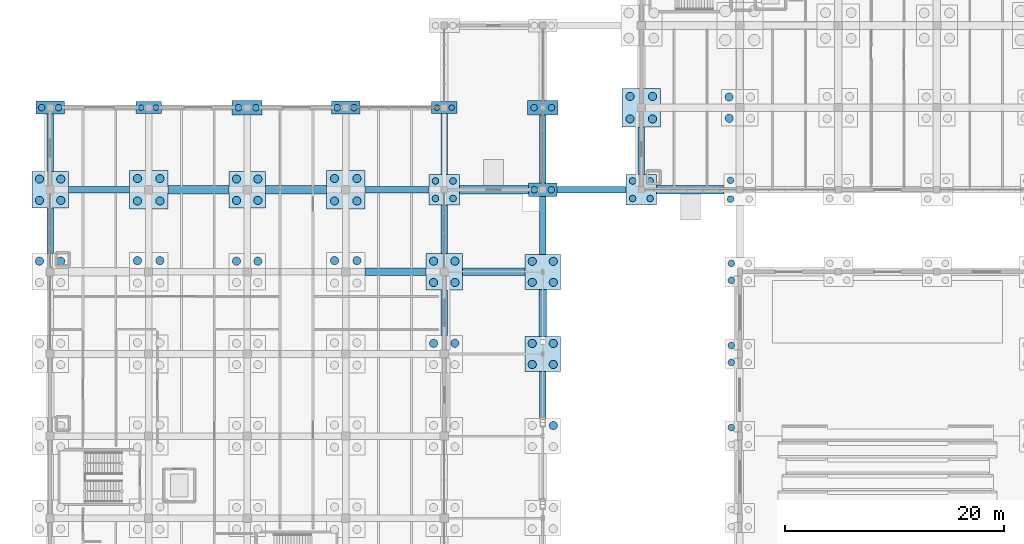
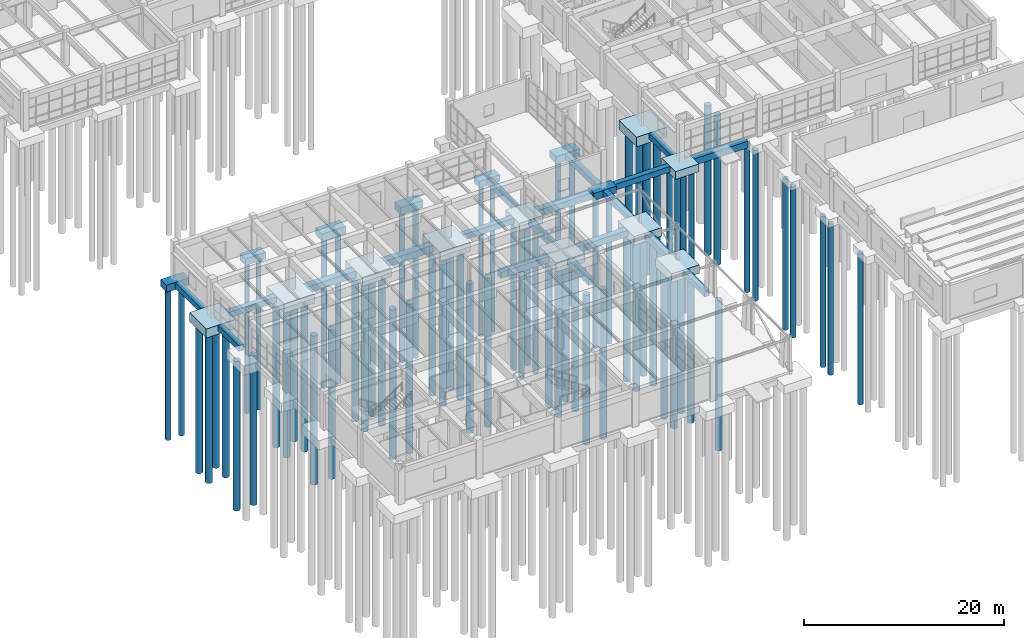
# One storey, part 2 of 93: 74 piles, 36 footings.
"""IFC4 building model written with IfcOpenShell, lengths in metres."""

from ifc_helpers import new_model, si_unit, direction, frame, origin, origin_2d, place, context, subcontext, project, spatial, rectangle, circle, extrude, material, material_profile, profile_set, type_object, element, save


model = new_model("IFC4")

# Units and contexts
model_context = context("Model", 3, precision=1e-05, world=origin(), true_north=direction((0.0, 1.0)))
body_context = subcontext(model_context, "Body", "Model", "MODEL_VIEW")
ifc_project = project(units=[si_unit("LENGTHUNIT", "METRE"), si_unit("AREAUNIT", "SQUARE_METRE"), si_unit("VOLUMEUNIT", "CUBIC_METRE"), si_unit("PLANEANGLEUNIT", "RADIAN"), si_unit("MASSUNIT", "GRAM", prefix="KILO")], contexts=[model_context])

# Site, building, storey
site_placement = place(None, origin())
site = spatial("IfcSite", under=ifc_project, at=site_placement, CompositionType="ELEMENT")
building_placement = place(site_placement, origin())
building = spatial("IfcBuilding", under=site, at=building_placement, Name="Marnridge Secondary College", CompositionType="ELEMENT")
storey_placement = place(building_placement, origin())
storey = spatial("IfcBuildingStorey", under=building, at=storey_placement, Name="L00", CompositionType="ELEMENT", Elevation=0.0)

# Footings
ifc_material_1 = material(Name="Concrete C40/50 (AS 3600 N40, 40 MPa)", Category="concrete")
footing_type_1 = type_object("IfcFootingType", Name="FT-PC-2311", PredefinedType="PILE_CAP", material=ifc_material_1)
for number, where, z_axis, x_axis, name in (
    (1, (9.0, 45.0, -1.06982421875), (0.0, 0.0, 1.0), (1.0, 0.0, 0.0), "Pile cap PC-077"),
    (2, (36.0, 45.0, -1.06982421875), (0.0, 0.0, 1.0), (1.0, 0.0, 0.0), "Pile cap PC-080"),
):
    element("IfcFooting", number, at=place(storey_placement, frame(where, z_axis=z_axis, x_axis=x_axis)), inside=storey, type_object=footing_type_1, Name=name, PredefinedType="PILE_CAP", context=body_context, shape_type="SweptSolid", body=[
        extrude(rectangle(XDim=2.35009765625, YDim=1.10009765625, at=origin_2d()), origin(), (0.0, 0.0, 1.0), 0.820068359375),
    ])
ifc_material_2 = material(Name="Concrete C40/50 (AS 3600 N40, 40 MPa)", Category="concrete")
footing_type_2 = type_object("IfcFootingType", Name="FT-PC-2612", PredefinedType="PILE_CAP", material=ifc_material_2)
for number, where, z_axis, x_axis, name in (
    (3, (45.0, 37.5, -1.10986328125), (0.0, 0.0, 1.0), (1.0, 0.0, 0.0), "Pile cap PC-070"),
    (4, (0.0, 45.0, -1.10986328125), (0.0, 0.0, 1.0), (1.0, 0.0, 0.0), "Pile cap PC-076"),
    (5, (27.0, 45.0, -1.10986328125), (0.0, 0.0, 1.0), (1.0, 0.0, 0.0), "Pile cap PC-079"),
):
    element("IfcFooting", number, at=place(storey_placement, frame(where, z_axis=z_axis, x_axis=x_axis)), inside=storey, type_object=footing_type_2, Name=name, PredefinedType="PILE_CAP", context=body_context, shape_type="SweptSolid", body=[
        extrude(rectangle(XDim=2.60009765625, YDim=1.199951171875, at=origin_2d()), origin(), (0.0, 0.0, 1.0), 0.860107421875),
    ])
ifc_material_3 = material(Name="Concrete C40/50 (AS 3600 N40, 40 MPa)", Category="concrete")
footing_type_3 = type_object("IfcFootingType", Name="FT-PC-2713", PredefinedType="PILE_CAP", material=ifc_material_3)
for number, where, z_axis, x_axis, name in (
    (6, (18.0, 45.0, -1.14990234375), (0.0, 0.0, 1.0), (1.0, 0.0, 0.0), "Pile cap PC-078"),
    (7, (45.0, 45.0, -1.14990234375), (0.0, 0.0, 1.0), (1.0, 0.0, 0.0), "Pile cap PC-081"),
):
    element("IfcFooting", number, at=place(storey_placement, frame(where, z_axis=z_axis, x_axis=x_axis)), inside=storey, type_object=footing_type_3, Name=name, PredefinedType="PILE_CAP", context=body_context, shape_type="SweptSolid", body=[
        extrude(rectangle(XDim=2.75, YDim=1.300048828125, at=origin_2d()), origin(), (0.0, 0.0, 1.0), 0.89990234375),
    ])
ifc_material_4 = material(Name="Concrete C40/50 (AS 3600 N40, 40 MPa)", Category="concrete")
footing_type_4 = type_object("IfcFootingType", Name="FT-PC-2750", PredefinedType="PILE_CAP", material=ifc_material_4)
for number, where, z_axis, x_axis, name in (
    (8, (36.0, 37.5, -1.2001953125), (0.0, 0.0, 1.0), (1.0, 0.0, 0.0), "Pile cap PC-069"),
    (9, (54.0, 37.5, -1.2001953125), (0.0, 0.0, 1.0), (1.0, 0.0, 0.0), "Pile cap PC-071"),
):
    element("IfcFooting", number, at=place(storey_placement, frame(where, z_axis=z_axis, x_axis=x_axis)), inside=storey, type_object=footing_type_4, Name=name, PredefinedType="PILE_CAP", context=body_context, shape_type="SweptSolid", body=[
        extrude(rectangle(XDim=2.75, YDim=2.75, at=origin_2d()), origin(), (0.0, 0.0, 1.0), 0.949951171875),
    ])
ifc_material_5 = material(Name="Concrete C40/50 (AS 3600 N40, 40 MPa)", Category="concrete")
footing_type_5 = type_object("IfcFootingType", Name="FT-PC-3200", PredefinedType="PILE_CAP", material=ifc_material_5)
for number, where, z_axis, x_axis, name in (
    (10, (45.0, 22.5, -1.2998046875), (0.0, 0.0, 1.0), (1.0, 0.0, 0.0), "Pile cap PC-044"),
    (11, (45.0, 30.0, -1.2998046875), (0.0, 0.0, 1.0), (1.0, 0.0, 0.0), "Pile cap PC-056"),
):
    element("IfcFooting", number, at=place(storey_placement, frame(where, z_axis=z_axis, x_axis=x_axis)), inside=storey, type_object=footing_type_5, Name=name, PredefinedType="PILE_CAP", context=body_context, shape_type="SweptSolid", body=[
        extrude(rectangle(XDim=3.199951171875, YDim=3.199951171875, at=origin_2d()), origin(), (0.0, 0.0, 1.0), 1.050048828125),
    ])
ifc_material_6 = material(Name="Concrete C40/50 (AS 3600 N40, 40 MPa)", Category="concrete")
footing_type_6 = type_object("IfcFootingType", Name="FT-PC-3350", PredefinedType="PILE_CAP", material=ifc_material_6)
for number, where, z_axis, x_axis, name in (
    (12, (36.0, 30.0, -1.35009765625), (0.0, 0.0, 1.0), (1.0, 0.0, 0.0), "Pile cap PC-055"),
    (13, (0.0, 37.5, -1.35009765625), (0.0, 0.0, 1.0), (1.0, 0.0, 0.0), "Pile cap PC-065"),
    (14, (18.0, 37.5, -1.35009765625), (0.0, 0.0, 1.0), (1.0, 0.0, 0.0), "Pile cap PC-067"),
):
    element("IfcFooting", number, at=place(storey_placement, frame(where, z_axis=z_axis, x_axis=x_axis)), inside=storey, type_object=footing_type_6, Name=name, PredefinedType="PILE_CAP", context=body_context, shape_type="SweptSolid", body=[
        extrude(rectangle(XDim=3.35009765625, YDim=3.35009765625, at=origin_2d()), origin(), (0.0, 0.0, 1.0), 1.10009765625),
    ])
ifc_material_7 = material(Name="Concrete C40/50 (AS 3600 N40, 40 MPa)", Category="concrete")
footing_type_7 = type_object("IfcFootingType", Name="FT-PC-3500", PredefinedType="PILE_CAP", material=ifc_material_7)
for number, where, z_axis, x_axis, name in (
    (15, (9.0, 37.5, -1.39990234375), (0.0, 0.0, 1.0), (1.0, 0.0, 0.0), "Pile cap PC-066"),
    (16, (27.0, 37.5, -1.39990234375), (0.0, 0.0, 1.0), (1.0, 0.0, 0.0), "Pile cap PC-068"),
    (17, (54.0, 45.0, -1.39990234375), (0.0, 0.0, 1.0), (1.0, 0.0, 0.0), "Pile cap PC-082"),
):
    element("IfcFooting", number, at=place(storey_placement, frame(where, z_axis=z_axis, x_axis=x_axis)), inside=storey, type_object=footing_type_7, Name=name, PredefinedType="PILE_CAP", context=body_context, shape_type="SweptSolid", body=[
        extrude(rectangle(XDim=3.5, YDim=3.5, at=origin_2d()), origin(), (0.0, 0.0, 1.0), 1.14990234375),
    ])
ifc_material_8 = material(Name="Concrete C40/50 (AS 3600 N40, 40 MPa)", Category="concrete")
footing_type_8 = type_object("IfcFootingType", Name="FT-SF-600", PredefinedType="STRIP_FOOTING", material=ifc_material_8)
footing_1_placement = place(storey_placement, frame((0.0, 33.75, -0.9501953125), z_axis=(0.0, 0.0, 1.0), x_axis=(1.0, 0.0, 0.0)))
element("IfcFooting", 18, at=footing_1_placement, inside=storey, type_object=footing_type_8, Name="Ground strip footing SF-007", PredefinedType="STRIP_FOOTING", context=body_context, shape_type="SweptSolid", body=[
    extrude(rectangle(XDim=0.60009765625, YDim=4.14990234375, at=origin_2d()), origin(), (0.0, 0.0, 1.0), 0.699951171875),
])
footing_2_placement = place(storey_placement, frame((4.46240234375, 37.5, -0.9501953125), z_axis=(0.0, 0.0, 1.0), x_axis=(1.0, 0.0, 0.0)))
element("IfcFooting", 19, at=footing_2_placement, inside=storey, type_object=footing_type_8, Name="Ground strip footing SF-008", PredefinedType="STRIP_FOOTING", context=body_context, shape_type="SweptSolid", body=[
    extrude(rectangle(XDim=5.574951171875, YDim=0.60009765625, at=origin_2d()), origin(), (0.0, 0.0, 1.0), 0.699951171875),
])
footing_3_placement = place(storey_placement, frame((0.0, 41.78759765625, -0.9501953125), z_axis=(0.0, 0.0, 1.0), x_axis=(1.0, 0.0, 0.0)))
element("IfcFooting", 20, at=footing_3_placement, inside=storey, type_object=footing_type_8, Name="Ground strip footing SF-009", PredefinedType="STRIP_FOOTING", context=body_context, shape_type="SweptSolid", body=[
    extrude(rectangle(XDim=0.60009765625, YDim=5.22509765625, at=origin_2d()), origin(), (0.0, 0.0, 1.0), 0.699951171875),
])
footing_4_placement = place(storey_placement, frame((31.6875, 37.5, -0.9501953125), z_axis=(0.0, 0.0, 1.0), x_axis=(1.0, 0.0, 0.0)))
element("IfcFooting", 21, at=footing_4_placement, inside=storey, type_object=footing_type_8, Name="Ground strip footing SF-032", PredefinedType="STRIP_FOOTING", context=body_context, shape_type="SweptSolid", body=[
    extrude(rectangle(XDim=5.875, YDim=0.60009765625, at=origin_2d()), origin(), (0.0, 0.0, 1.0), 0.699951171875),
])
footing_5_placement = place(storey_placement, frame((36.0, 26.25, -0.9501953125), z_axis=(0.0, 0.0, 1.0), x_axis=(1.0, 0.0, 0.0)))
element("IfcFooting", 22, at=footing_5_placement, inside=storey, type_object=footing_type_8, Name="Ground strip footing SF-039", PredefinedType="STRIP_FOOTING", context=body_context, shape_type="SweptSolid", body=[
    extrude(rectangle(XDim=0.60009765625, YDim=4.14990234375, at=origin_2d()), origin(), (0.0, 0.0, 1.0), 0.699951171875),
])
footing_6_placement = place(storey_placement, frame((36.0, 33.89990234375, -0.9501953125), z_axis=(0.0, 0.0, 1.0), x_axis=(1.0, 0.0, 0.0)))
element("IfcFooting", 23, at=footing_6_placement, inside=storey, type_object=footing_type_8, Name="Ground strip footing SF-041", PredefinedType="STRIP_FOOTING", context=body_context, shape_type="SweptSolid", body=[
    extrude(rectangle(XDim=0.60009765625, YDim=4.449951171875, at=origin_2d()), origin(), (0.0, 0.0, 1.0), 0.699951171875),
])
footing_7_placement = place(storey_placement, frame((36.0, 41.66259765625, -0.9501953125), z_axis=(0.0, 0.0, 1.0), x_axis=(1.0, 0.0, 0.0)))
element("IfcFooting", 24, at=footing_7_placement, inside=storey, type_object=footing_type_8, Name="Ground strip footing SF-043", PredefinedType="STRIP_FOOTING", context=body_context, shape_type="SweptSolid", body=[
    extrude(rectangle(XDim=0.60009765625, YDim=5.574951171875, at=origin_2d()), origin(), (0.0, 0.0, 1.0), 0.699951171875),
])
footing_8_placement = place(storey_placement, frame((45.0, 18.75, -0.9501953125), z_axis=(0.0, 0.0, 1.0), x_axis=(1.0, 0.0, 0.0)))
element("IfcFooting", 25, at=footing_8_placement, inside=storey, type_object=footing_type_8, Name="Ground strip footing SF-053", PredefinedType="STRIP_FOOTING", context=body_context, shape_type="SweptSolid", body=[
    extrude(rectangle(XDim=0.60009765625, YDim=4.300048828125, at=origin_2d()), origin(), (0.0, 0.0, 1.0), 0.699951171875),
])
footing_9_placement = place(storey_placement, frame((45.0, 34.25, -0.9501953125), z_axis=(0.0, 0.0, 1.0), x_axis=(1.0, 0.0, 0.0)))
element("IfcFooting", 26, at=footing_9_placement, inside=storey, type_object=footing_type_8, Name="Ground strip footing SF-055", PredefinedType="STRIP_FOOTING", context=body_context, shape_type="SweptSolid", body=[
    extrude(rectangle(XDim=0.60009765625, YDim=5.300048828125, at=origin_2d()), origin(), (0.0, 0.0, 1.0), 0.699951171875),
])
footing_10_placement = place(storey_placement, frame((49.46240234375, 37.5, -0.9501953125), z_axis=(0.0, 0.0, 1.0), x_axis=(1.0, 0.0, 0.0)))
element("IfcFooting", 27, at=footing_10_placement, inside=storey, type_object=footing_type_8, Name="Ground strip footing SF-056", PredefinedType="STRIP_FOOTING", context=body_context, shape_type="SweptSolid", body=[
    extrude(rectangle(XDim=6.324951171875, YDim=0.60009765625, at=origin_2d()), origin(), (0.0, 0.0, 1.0), 0.699951171875),
])
footing_11_placement = place(storey_placement, frame((45.0, 41.22509765625, -0.9501953125), z_axis=(0.0, 0.0, 1.0), x_axis=(1.0, 0.0, 0.0)))
element("IfcFooting", 28, at=footing_11_placement, inside=storey, type_object=footing_type_8, Name="Ground strip footing SF-057", PredefinedType="STRIP_FOOTING", context=body_context, shape_type="SweptSolid", body=[
    extrude(rectangle(XDim=0.60009765625, YDim=6.25, at=origin_2d()), origin(), (0.0, 0.0, 1.0), 0.699951171875),
])
footing_12_placement = place(storey_placement, frame((54.0, 41.0625, -0.9501953125), z_axis=(0.0, 0.0, 1.0), x_axis=(1.0, 0.0, 0.0)))
element("IfcFooting", 29, at=footing_12_placement, inside=storey, type_object=footing_type_8, Name="Ground strip footing SF-061", PredefinedType="STRIP_FOOTING", context=body_context, shape_type="SweptSolid", body=[
    extrude(rectangle(XDim=0.60009765625, YDim=4.375, at=origin_2d()), origin(), (0.0, 0.0, 1.0), 0.699951171875),
])
ifc_material_9 = material(Name="Concrete C40/50 (AS 3600 N40, 40 MPa)", Category="concrete")
footing_type_9 = type_object("IfcFootingType", Name="FT-SF-680", PredefinedType="STRIP_FOOTING", material=ifc_material_9)
footing_13_placement = place(storey_placement, frame((31.53759765625, 30.0, -1.009765625), z_axis=(0.0, 0.0, 1.0), x_axis=(1.0, 0.0, 0.0)))
element("IfcFooting", 30, at=footing_13_placement, inside=storey, type_object=footing_type_9, Name="Ground strip footing SF-031", PredefinedType="STRIP_FOOTING", context=body_context, shape_type="SweptSolid", body=[
    extrude(rectangle(XDim=5.574951171875, YDim=0.679931640625, at=origin_2d()), origin(), (0.0, 0.0, 1.0), 0.760009765625),
])
footing_14_placement = place(storey_placement, frame((40.53759765625, 30.0, -1.009765625), z_axis=(0.0, 0.0, 1.0), x_axis=(1.0, 0.0, 0.0)))
element("IfcFooting", 31, at=footing_14_placement, inside=storey, type_object=footing_type_9, Name="Ground strip footing SF-040", PredefinedType="STRIP_FOOTING", context=body_context, shape_type="SweptSolid", body=[
    extrude(rectangle(XDim=5.72509765625, YDim=0.679931640625, at=origin_2d()), origin(), (0.0, 0.0, 1.0), 0.760009765625),
])
footing_15_placement = place(storey_placement, frame((45.0, 26.25, -1.009765625), z_axis=(0.0, 0.0, 1.0), x_axis=(1.0, 0.0, 0.0)))
element("IfcFooting", 32, at=footing_15_placement, inside=storey, type_object=footing_type_9, Name="Ground strip footing SF-054", PredefinedType="STRIP_FOOTING", context=body_context, shape_type="SweptSolid", body=[
    extrude(rectangle(XDim=0.679931640625, YDim=4.300048828125, at=origin_2d()), origin(), (0.0, 0.0, 1.0), 0.760009765625),
])
ifc_material_10 = material(Name="Concrete C40/50 (AS 3600 N40, 40 MPa)", Category="concrete")
footing_type_10 = type_object("IfcFootingType", Name="FT-SF-760", PredefinedType="STRIP_FOOTING", material=ifc_material_10)
for number, where, z_axis, x_axis, name in (
    (33, (13.53759765625, 37.5, -1.06982421875), (0.0, 0.0, 1.0), (1.0, 0.0, 0.0), "Ground strip footing SF-021"),
    (34, (22.46240234375, 37.5, -1.06982421875), (0.0, 0.0, 1.0), (1.0, 0.0, 0.0), "Ground strip footing SF-027"),
):
    element("IfcFooting", number, at=place(storey_placement, frame(where, z_axis=z_axis, x_axis=x_axis)), inside=storey, type_object=footing_type_10, Name=name, PredefinedType="STRIP_FOOTING", context=body_context, shape_type="SweptSolid", body=[
        extrude(rectangle(XDim=5.574951171875, YDim=0.760009765625, at=origin_2d()), origin(), (0.0, 0.0, 1.0), 0.820068359375),
    ])
footing_16_placement = place(storey_placement, frame((40.53759765625, 37.5, -1.06982421875), z_axis=(0.0, 0.0, 1.0), x_axis=(1.0, 0.0, 0.0)))
element("IfcFooting", 35, at=footing_16_placement, inside=storey, type_object=footing_type_10, Name="Ground strip footing SF-042", PredefinedType="STRIP_FOOTING", context=body_context, shape_type="SweptSolid", body=[
    extrude(rectangle(XDim=6.324951171875, YDim=0.760009765625, at=origin_2d()), origin(), (0.0, 0.0, 1.0), 0.820068359375),
])
footing_17_placement = place(storey_placement, frame((58.46240234375, 37.5, -1.06982421875), z_axis=(0.0, 0.0, 1.0), x_axis=(1.0, 0.0, 0.0)))
element("IfcFooting", 36, at=footing_17_placement, inside=storey, type_object=footing_type_10, Name="Ground strip footing SF-060", PredefinedType="STRIP_FOOTING", context=body_context, shape_type="SweptSolid", body=[
    extrude(rectangle(XDim=6.175048828125, YDim=0.760009765625, at=origin_2d()), origin(), (0.0, 0.0, 1.0), 0.820068359375),
])

# Piles
ifc_material_11 = material(Name="Concrete C40/50 (AS 3600 N40, 40 MPa)", Category="concrete")
ifc_material_profile_1 = material_profile(ifc_material_11, circle(Radius=0.25, at=origin_2d()), Name="PILE D500")
ifc_profile_set_1 = profile_set([ifc_material_profile_1], Name="Concrete C40/50 (AS 3600 N40, 40 MPa)")
pile_type_1 = type_object("IfcPileType", Name="PL-D500-N40", PredefinedType="BORED", material=ifc_profile_set_1)
for number, where, z_axis, x_axis, name in (
    (37, (8.324951171875, 45.0, -0.969970703125), (0.0, 0.0, -1.0), (1.0, 0.0, 0.0), "Bored pile PL-295"),
    (38, (9.675048828125, 45.0, -0.969970703125), (0.0, 0.0, -1.0), (1.0, 0.0, 0.0), "Bored pile PL-296"),
    (39, (35.324951171875, 45.0, -0.969970703125), (0.0, 0.0, -1.0), (1.0, 0.0, 0.0), "Bored pile PL-301"),
    (40, (36.675048828125, 45.0, -0.969970703125), (0.0, 0.0, -1.0), (1.0, 0.0, 0.0), "Bored pile PL-302"),
):
    element("IfcPile", number, at=place(storey_placement, frame(where, z_axis=z_axis, x_axis=x_axis)), inside=storey, type_object=pile_type_1, Name=name, PredefinedType="BORED", context=body_context, shape_type="SweptSolid", body=[
        extrude(circle(Radius=0.25, at=origin_2d()), origin(), (0.0, 0.0, 1.0), 18.530029296875),
    ])
ifc_material_12 = material(Name="Concrete C40/50 (AS 3600 N40, 40 MPa)", Category="concrete")
ifc_material_profile_2 = material_profile(ifc_material_12, circle(Radius=0.300048828125, at=origin_2d()), Name="PILE D600")
ifc_profile_set_2 = profile_set([ifc_material_profile_2], Name="Concrete C40/50 (AS 3600 N40, 40 MPa)")
pile_type_2 = type_object("IfcPileType", Name="PL-D600-N40", PredefinedType="BORED", material=ifc_profile_set_2)
for number, where, z_axis, x_axis, name in (
    (41, (62.22509765625, 15.77490234375, -1.070068359375), (0.0, 0.0, -1.0), (1.0, 0.0, 0.0), "Bored pile PL-129"),
    (42, (62.22509765625, 21.72509765625, -1.070068359375), (0.0, 0.0, -1.0), (1.0, 0.0, 0.0), "Bored pile PL-173"),
    (43, (62.22509765625, 23.27490234375, -1.070068359375), (0.0, 0.0, -1.0), (1.0, 0.0, 0.0), "Bored pile PL-175"),
    (44, (62.22509765625, 29.22509765625, -1.070068359375), (0.0, 0.0, -1.0), (1.0, 0.0, 0.0), "Bored pile PL-219"),
    (45, (62.22509765625, 30.77490234375, -1.070068359375), (0.0, 0.0, -1.0), (1.0, 0.0, 0.0), "Bored pile PL-221"),
):
    element("IfcPile", number, at=place(storey_placement, frame(where, z_axis=z_axis, x_axis=x_axis)), inside=storey, type_object=pile_type_2, Name=name, PredefinedType="BORED", context=body_context, shape_type="SweptSolid", body=[
        extrude(circle(Radius=0.300048828125, at=origin_2d()), origin(), (0.0, 0.0, 1.0), 18.429931640625),
    ])
for number, where, z_axis, x_axis, name in (
    (46, (35.199951171875, 36.699951171875, -1.10009765625), (0.0, 0.0, -1.0), (1.0, 0.0, 0.0), "Bored pile PL-267"),
    (47, (36.800048828125, 36.699951171875, -1.10009765625), (0.0, 0.0, -1.0), (1.0, 0.0, 0.0), "Bored pile PL-268"),
    (48, (35.199951171875, 38.300048828125, -1.10009765625), (0.0, 0.0, -1.0), (1.0, 0.0, 0.0), "Bored pile PL-269"),
    (49, (36.800048828125, 38.300048828125, -1.10009765625), (0.0, 0.0, -1.0), (1.0, 0.0, 0.0), "Bored pile PL-270"),
):
    element("IfcPile", number, at=place(storey_placement, frame(where, z_axis=z_axis, x_axis=x_axis)), inside=storey, type_object=pile_type_2, Name=name, PredefinedType="BORED", context=body_context, shape_type="SweptSolid", body=[
        extrude(circle(Radius=0.300048828125, at=origin_2d()), origin(), (0.0, 0.0, 1.0), 18.39990234375),
    ])
for number, where, z_axis, x_axis, name in (
    (50, (44.22509765625, 37.5, -1.010009765625), (0.0, 0.0, -1.0), (1.0, 0.0, 0.0), "Bored pile PL-271"),
    (51, (45.77490234375, 37.5, -1.010009765625), (0.0, 0.0, -1.0), (1.0, 0.0, 0.0), "Bored pile PL-272"),
):
    element("IfcPile", number, at=place(storey_placement, frame(where, z_axis=z_axis, x_axis=x_axis)), inside=storey, type_object=pile_type_2, Name=name, PredefinedType="BORED", context=body_context, shape_type="SweptSolid", body=[
        extrude(circle(Radius=0.300048828125, at=origin_2d()), origin(), (0.0, 0.0, 1.0), 18.489990234375),
    ])
for number, where, z_axis, x_axis, name in (
    (52, (53.199951171875, 36.699951171875, -1.10009765625), (0.0, 0.0, -1.0), (1.0, 0.0, 0.0), "Bored pile PL-273"),
    (53, (54.800048828125, 36.699951171875, -1.10009765625), (0.0, 0.0, -1.0), (1.0, 0.0, 0.0), "Bored pile PL-274"),
    (54, (53.199951171875, 38.300048828125, -1.10009765625), (0.0, 0.0, -1.0), (1.0, 0.0, 0.0), "Bored pile PL-275"),
    (55, (54.800048828125, 38.300048828125, -1.10009765625), (0.0, 0.0, -1.0), (1.0, 0.0, 0.0), "Bored pile PL-276"),
):
    element("IfcPile", number, at=place(storey_placement, frame(where, z_axis=z_axis, x_axis=x_axis)), inside=storey, type_object=pile_type_2, Name=name, PredefinedType="BORED", context=body_context, shape_type="SweptSolid", body=[
        extrude(circle(Radius=0.300048828125, at=origin_2d()), origin(), (0.0, 0.0, 1.0), 18.39990234375),
    ])
for number, where, z_axis, x_axis, name in (
    (56, (62.14990234375, 36.64990234375, -1.1298828125), (0.0, 0.0, -1.0), (1.0, 0.0, 0.0), "Bored pile PL-277"),
    (57, (62.14990234375, 38.35009765625, -1.1298828125), (0.0, 0.0, -1.0), (1.0, 0.0, 0.0), "Bored pile PL-279"),
):
    element("IfcPile", number, at=place(storey_placement, frame(where, z_axis=z_axis, x_axis=x_axis)), inside=storey, type_object=pile_type_2, Name=name, PredefinedType="BORED", context=body_context, shape_type="SweptSolid", body=[
        extrude(circle(Radius=0.300048828125, at=origin_2d()), origin(), (0.0, 0.0, 1.0), 18.3701171875),
    ])
for number, where, z_axis, x_axis, name in (
    (58, (-0.77490234375, 45.0, -1.010009765625), (0.0, 0.0, -1.0), (1.0, 0.0, 0.0), "Bored pile PL-293"),
    (59, (0.77490234375, 45.0, -1.010009765625), (0.0, 0.0, -1.0), (1.0, 0.0, 0.0), "Bored pile PL-294"),
):
    element("IfcPile", number, at=place(storey_placement, frame(where, z_axis=z_axis, x_axis=x_axis)), inside=storey, type_object=pile_type_2, Name=name, PredefinedType="BORED", context=body_context, shape_type="SweptSolid", body=[
        extrude(circle(Radius=0.300048828125, at=origin_2d()), origin(), (0.0, 0.0, 1.0), 18.489990234375),
    ])
for number, where, z_axis, x_axis, name in (
    (60, (17.199951171875, 45.0, -1.050048828125), (0.0, 0.0, -1.0), (1.0, 0.0, 0.0), "Bored pile PL-297"),
    (61, (18.800048828125, 45.0, -1.050048828125), (0.0, 0.0, -1.0), (1.0, 0.0, 0.0), "Bored pile PL-298"),
):
    element("IfcPile", number, at=place(storey_placement, frame(where, z_axis=z_axis, x_axis=x_axis)), inside=storey, type_object=pile_type_2, Name=name, PredefinedType="BORED", context=body_context, shape_type="SweptSolid", body=[
        extrude(circle(Radius=0.300048828125, at=origin_2d()), origin(), (0.0, 0.0, 1.0), 18.449951171875),
    ])
for number, where, z_axis, x_axis, name in (
    (62, (26.22509765625, 45.0, -1.010009765625), (0.0, 0.0, -1.0), (1.0, 0.0, 0.0), "Bored pile PL-299"),
    (63, (27.77490234375, 45.0, -1.010009765625), (0.0, 0.0, -1.0), (1.0, 0.0, 0.0), "Bored pile PL-300"),
):
    element("IfcPile", number, at=place(storey_placement, frame(where, z_axis=z_axis, x_axis=x_axis)), inside=storey, type_object=pile_type_2, Name=name, PredefinedType="BORED", context=body_context, shape_type="SweptSolid", body=[
        extrude(circle(Radius=0.300048828125, at=origin_2d()), origin(), (0.0, 0.0, 1.0), 18.489990234375),
    ])
for number, where, z_axis, x_axis, name in (
    (64, (44.199951171875, 45.0, -1.050048828125), (0.0, 0.0, -1.0), (1.0, 0.0, 0.0), "Bored pile PL-303"),
    (65, (45.800048828125, 45.0, -1.050048828125), (0.0, 0.0, -1.0), (1.0, 0.0, 0.0), "Bored pile PL-304"),
):
    element("IfcPile", number, at=place(storey_placement, frame(where, z_axis=z_axis, x_axis=x_axis)), inside=storey, type_object=pile_type_2, Name=name, PredefinedType="BORED", context=body_context, shape_type="SweptSolid", body=[
        extrude(circle(Radius=0.300048828125, at=origin_2d()), origin(), (0.0, 0.0, 1.0), 18.449951171875),
    ])
ifc_material_13 = material(Name="Concrete C40/50 (AS 3600 N40, 40 MPa)", Category="concrete")
ifc_material_profile_3 = material_profile(ifc_material_13, circle(Radius=0.375, at=origin_2d()), Name="PILE D750")
ifc_profile_set_3 = profile_set([ifc_material_profile_3], Name="Concrete C40/50 (AS 3600 N40, 40 MPa)")
pile_type_3 = type_object("IfcPileType", Name="PL-D750-N40", PredefinedType="BORED", material=ifc_profile_set_3)
pile_placement = place(storey_placement, frame((45.9599609375, 15.9599609375, -1.199951171875), z_axis=(0.0, 0.0, -1.0), x_axis=(1.0, 0.0, 0.0)))
element("IfcPile", 66, at=pile_placement, inside=storey, type_object=pile_type_3, Name="Bored pile PL-126", PredefinedType="BORED", context=body_context, shape_type="SweptSolid", body=[
    extrude(circle(Radius=0.375, at=origin_2d()), origin(), (0.0, 0.0, 1.0), 18.300048828125),
])
for number, where, z_axis, x_axis, name in (
    (67, (35.02490234375, 23.47509765625, -1.25), (0.0, 0.0, -1.0), (1.0, 0.0, 0.0), "Bored pile PL-167"),
    (68, (36.97509765625, 23.47509765625, -1.25), (0.0, 0.0, -1.0), (1.0, 0.0, 0.0), "Bored pile PL-168"),
):
    element("IfcPile", number, at=place(storey_placement, frame(where, z_axis=z_axis, x_axis=x_axis)), inside=storey, type_object=pile_type_3, Name=name, PredefinedType="BORED", context=body_context, shape_type="SweptSolid", body=[
        extrude(circle(Radius=0.375, at=origin_2d()), origin(), (0.0, 0.0, 1.0), 18.25),
    ])
for number, where, z_axis, x_axis, name in (
    (69, (44.0400390625, 21.5400390625, -1.199951171875), (0.0, 0.0, -1.0), (1.0, 0.0, 0.0), "Bored pile PL-169"),
    (70, (45.9599609375, 21.5400390625, -1.199951171875), (0.0, 0.0, -1.0), (1.0, 0.0, 0.0), "Bored pile PL-170"),
    (71, (44.0400390625, 23.4599609375, -1.199951171875), (0.0, 0.0, -1.0), (1.0, 0.0, 0.0), "Bored pile PL-171"),
    (72, (45.9599609375, 23.4599609375, -1.199951171875), (0.0, 0.0, -1.0), (1.0, 0.0, 0.0), "Bored pile PL-172"),
):
    element("IfcPile", number, at=place(storey_placement, frame(where, z_axis=z_axis, x_axis=x_axis)), inside=storey, type_object=pile_type_3, Name=name, PredefinedType="BORED", context=body_context, shape_type="SweptSolid", body=[
        extrude(circle(Radius=0.375, at=origin_2d()), origin(), (0.0, 0.0, 1.0), 18.300048828125),
    ])
for number, where, z_axis, x_axis, name in (
    (73, (-0.97509765625, 30.97509765625, -1.25), (0.0, 0.0, -1.0), (1.0, 0.0, 0.0), "Bored pile PL-197"),
    (74, (0.97509765625, 30.97509765625, -1.25), (0.0, 0.0, -1.0), (1.0, 0.0, 0.0), "Bored pile PL-198"),
):
    element("IfcPile", number, at=place(storey_placement, frame(where, z_axis=z_axis, x_axis=x_axis)), inside=storey, type_object=pile_type_3, Name=name, PredefinedType="BORED", context=body_context, shape_type="SweptSolid", body=[
        extrude(circle(Radius=0.375, at=origin_2d()), origin(), (0.0, 0.0, 1.0), 18.25),
    ])
for number, where, z_axis, x_axis, name in (
    (75, (7.97509765625, 31.02490234375, -1.300048828125), (0.0, 0.0, -1.0), (1.0, 0.0, 0.0), "Bored pile PL-201"),
    (76, (10.02490234375, 31.02490234375, -1.300048828125), (0.0, 0.0, -1.0), (1.0, 0.0, 0.0), "Bored pile PL-202"),
):
    element("IfcPile", number, at=place(storey_placement, frame(where, z_axis=z_axis, x_axis=x_axis)), inside=storey, type_object=pile_type_3, Name=name, PredefinedType="BORED", context=body_context, shape_type="SweptSolid", body=[
        extrude(circle(Radius=0.375, at=origin_2d()), origin(), (0.0, 0.0, 1.0), 18.199951171875),
    ])
for number, where, z_axis, x_axis, name in (
    (77, (17.02490234375, 30.97509765625, -1.25), (0.0, 0.0, -1.0), (1.0, 0.0, 0.0), "Bored pile PL-205"),
    (78, (18.97509765625, 30.97509765625, -1.25), (0.0, 0.0, -1.0), (1.0, 0.0, 0.0), "Bored pile PL-206"),
):
    element("IfcPile", number, at=place(storey_placement, frame(where, z_axis=z_axis, x_axis=x_axis)), inside=storey, type_object=pile_type_3, Name=name, PredefinedType="BORED", context=body_context, shape_type="SweptSolid", body=[
        extrude(circle(Radius=0.375, at=origin_2d()), origin(), (0.0, 0.0, 1.0), 18.25),
    ])
for number, where, z_axis, x_axis, name in (
    (79, (25.97509765625, 31.02490234375, -1.300048828125), (0.0, 0.0, -1.0), (1.0, 0.0, 0.0), "Bored pile PL-209"),
    (80, (28.02490234375, 31.02490234375, -1.300048828125), (0.0, 0.0, -1.0), (1.0, 0.0, 0.0), "Bored pile PL-210"),
):
    element("IfcPile", number, at=place(storey_placement, frame(where, z_axis=z_axis, x_axis=x_axis)), inside=storey, type_object=pile_type_3, Name=name, PredefinedType="BORED", context=body_context, shape_type="SweptSolid", body=[
        extrude(circle(Radius=0.375, at=origin_2d()), origin(), (0.0, 0.0, 1.0), 18.199951171875),
    ])
for number, where, z_axis, x_axis, name in (
    (81, (35.02490234375, 29.02490234375, -1.25), (0.0, 0.0, -1.0), (1.0, 0.0, 0.0), "Bored pile PL-211"),
    (82, (36.97509765625, 29.02490234375, -1.25), (0.0, 0.0, -1.0), (1.0, 0.0, 0.0), "Bored pile PL-212"),
    (83, (35.02490234375, 30.97509765625, -1.25), (0.0, 0.0, -1.0), (1.0, 0.0, 0.0), "Bored pile PL-213"),
    (84, (36.97509765625, 30.97509765625, -1.25), (0.0, 0.0, -1.0), (1.0, 0.0, 0.0), "Bored pile PL-214"),
):
    element("IfcPile", number, at=place(storey_placement, frame(where, z_axis=z_axis, x_axis=x_axis)), inside=storey, type_object=pile_type_3, Name=name, PredefinedType="BORED", context=body_context, shape_type="SweptSolid", body=[
        extrude(circle(Radius=0.375, at=origin_2d()), origin(), (0.0, 0.0, 1.0), 18.25),
    ])
for number, where, z_axis, x_axis, name in (
    (85, (44.0400390625, 29.0400390625, -1.199951171875), (0.0, 0.0, -1.0), (1.0, 0.0, 0.0), "Bored pile PL-215"),
    (86, (45.9599609375, 29.0400390625, -1.199951171875), (0.0, 0.0, -1.0), (1.0, 0.0, 0.0), "Bored pile PL-216"),
    (87, (44.0400390625, 30.9599609375, -1.199951171875), (0.0, 0.0, -1.0), (1.0, 0.0, 0.0), "Bored pile PL-217"),
    (88, (45.9599609375, 30.9599609375, -1.199951171875), (0.0, 0.0, -1.0), (1.0, 0.0, 0.0), "Bored pile PL-218"),
):
    element("IfcPile", number, at=place(storey_placement, frame(where, z_axis=z_axis, x_axis=x_axis)), inside=storey, type_object=pile_type_3, Name=name, PredefinedType="BORED", context=body_context, shape_type="SweptSolid", body=[
        extrude(circle(Radius=0.375, at=origin_2d()), origin(), (0.0, 0.0, 1.0), 18.300048828125),
    ])
for number, where, z_axis, x_axis, name in (
    (89, (-0.97509765625, 36.52490234375, -1.25), (0.0, 0.0, -1.0), (1.0, 0.0, 0.0), "Bored pile PL-251"),
    (90, (0.97509765625, 36.52490234375, -1.25), (0.0, 0.0, -1.0), (1.0, 0.0, 0.0), "Bored pile PL-252"),
    (91, (-0.97509765625, 38.47509765625, -1.25), (0.0, 0.0, -1.0), (1.0, 0.0, 0.0), "Bored pile PL-253"),
    (92, (0.97509765625, 38.47509765625, -1.25), (0.0, 0.0, -1.0), (1.0, 0.0, 0.0), "Bored pile PL-254"),
):
    element("IfcPile", number, at=place(storey_placement, frame(where, z_axis=z_axis, x_axis=x_axis)), inside=storey, type_object=pile_type_3, Name=name, PredefinedType="BORED", context=body_context, shape_type="SweptSolid", body=[
        extrude(circle(Radius=0.375, at=origin_2d()), origin(), (0.0, 0.0, 1.0), 18.25),
    ])
for number, where, z_axis, x_axis, name in (
    (93, (7.97509765625, 36.47509765625, -1.300048828125), (0.0, 0.0, -1.0), (1.0, 0.0, 0.0), "Bored pile PL-255"),
    (94, (10.02490234375, 36.47509765625, -1.300048828125), (0.0, 0.0, -1.0), (1.0, 0.0, 0.0), "Bored pile PL-256"),
    (95, (7.97509765625, 38.52490234375, -1.300048828125), (0.0, 0.0, -1.0), (1.0, 0.0, 0.0), "Bored pile PL-257"),
    (96, (10.02490234375, 38.52490234375, -1.300048828125), (0.0, 0.0, -1.0), (1.0, 0.0, 0.0), "Bored pile PL-258"),
):
    element("IfcPile", number, at=place(storey_placement, frame(where, z_axis=z_axis, x_axis=x_axis)), inside=storey, type_object=pile_type_3, Name=name, PredefinedType="BORED", context=body_context, shape_type="SweptSolid", body=[
        extrude(circle(Radius=0.375, at=origin_2d()), origin(), (0.0, 0.0, 1.0), 18.199951171875),
    ])
for number, where, z_axis, x_axis, name in (
    (97, (17.02490234375, 36.52490234375, -1.25), (0.0, 0.0, -1.0), (1.0, 0.0, 0.0), "Bored pile PL-259"),
    (98, (18.97509765625, 36.52490234375, -1.25), (0.0, 0.0, -1.0), (1.0, 0.0, 0.0), "Bored pile PL-260"),
    (99, (17.02490234375, 38.47509765625, -1.25), (0.0, 0.0, -1.0), (1.0, 0.0, 0.0), "Bored pile PL-261"),
    (100, (18.97509765625, 38.47509765625, -1.25), (0.0, 0.0, -1.0), (1.0, 0.0, 0.0), "Bored pile PL-262"),
):
    element("IfcPile", number, at=place(storey_placement, frame(where, z_axis=z_axis, x_axis=x_axis)), inside=storey, type_object=pile_type_3, Name=name, PredefinedType="BORED", context=body_context, shape_type="SweptSolid", body=[
        extrude(circle(Radius=0.375, at=origin_2d()), origin(), (0.0, 0.0, 1.0), 18.25),
    ])
for number, where, z_axis, x_axis, name in (
    (101, (25.97509765625, 36.47509765625, -1.300048828125), (0.0, 0.0, -1.0), (1.0, 0.0, 0.0), "Bored pile PL-263"),
    (102, (28.02490234375, 36.47509765625, -1.300048828125), (0.0, 0.0, -1.0), (1.0, 0.0, 0.0), "Bored pile PL-264"),
    (103, (25.97509765625, 38.52490234375, -1.300048828125), (0.0, 0.0, -1.0), (1.0, 0.0, 0.0), "Bored pile PL-265"),
    (104, (28.02490234375, 38.52490234375, -1.300048828125), (0.0, 0.0, -1.0), (1.0, 0.0, 0.0), "Bored pile PL-266"),
    (105, (52.97509765625, 43.97509765625, -1.300048828125), (0.0, 0.0, -1.0), (1.0, 0.0, 0.0), "Bored pile PL-305"),
    (106, (55.02490234375, 43.97509765625, -1.300048828125), (0.0, 0.0, -1.0), (1.0, 0.0, 0.0), "Bored pile PL-306"),
    (107, (52.97509765625, 46.02490234375, -1.300048828125), (0.0, 0.0, -1.0), (1.0, 0.0, 0.0), "Bored pile PL-307"),
    (108, (55.02490234375, 46.02490234375, -1.300048828125), (0.0, 0.0, -1.0), (1.0, 0.0, 0.0), "Bored pile PL-308"),
):
    element("IfcPile", number, at=place(storey_placement, frame(where, z_axis=z_axis, x_axis=x_axis)), inside=storey, type_object=pile_type_3, Name=name, PredefinedType="BORED", context=body_context, shape_type="SweptSolid", body=[
        extrude(circle(Radius=0.375, at=origin_2d()), origin(), (0.0, 0.0, 1.0), 18.199951171875),
    ])
for number, where, z_axis, x_axis, name in (
    (109, (62.02490234375, 44.02490234375, -1.25), (0.0, 0.0, -1.0), (1.0, 0.0, 0.0), "Bored pile PL-309"),
    (110, (62.02490234375, 45.97509765625, -1.25), (0.0, 0.0, -1.0), (1.0, 0.0, 0.0), "Bored pile PL-311"),
):
    element("IfcPile", number, at=place(storey_placement, frame(where, z_axis=z_axis, x_axis=x_axis)), inside=storey, type_object=pile_type_3, Name=name, PredefinedType="BORED", context=body_context, shape_type="SweptSolid", body=[
        extrude(circle(Radius=0.375, at=origin_2d()), origin(), (0.0, 0.0, 1.0), 18.25),
    ])

save(model, "model.ifc")
